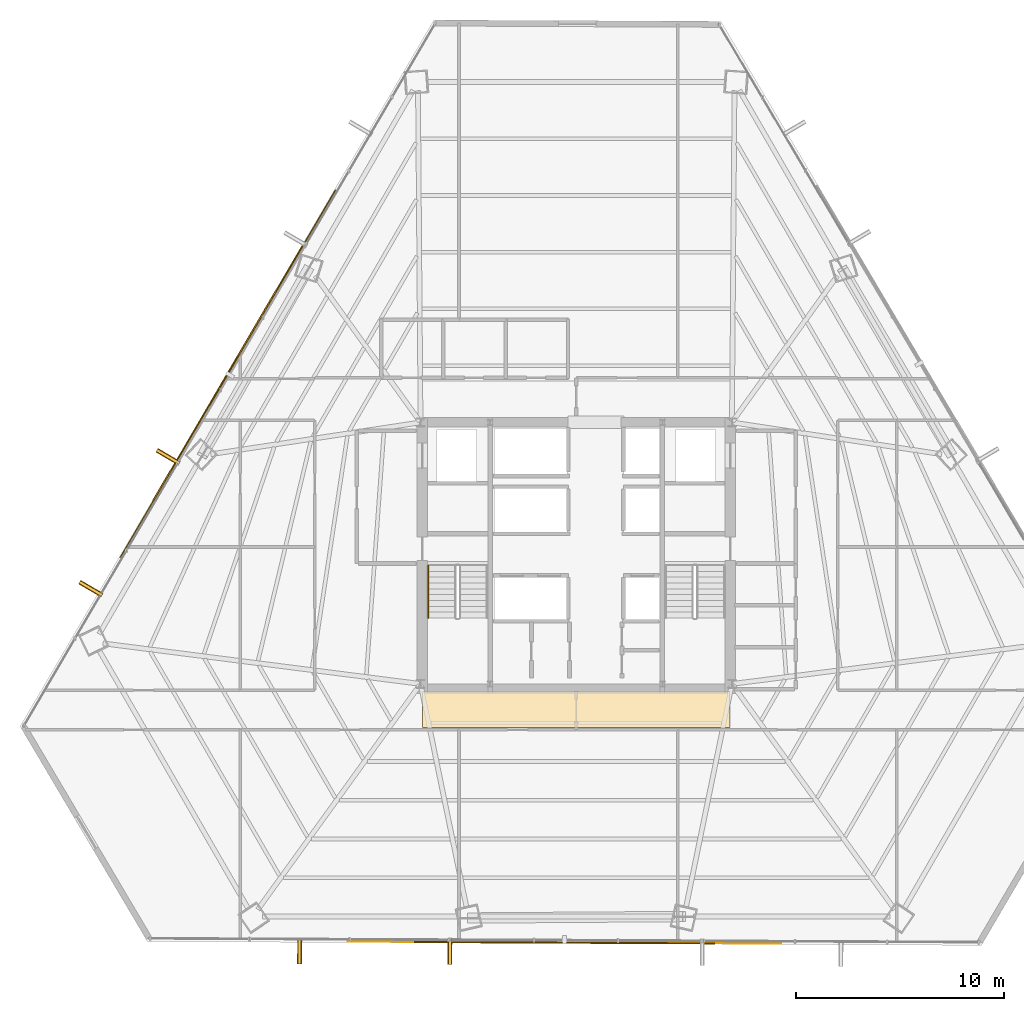
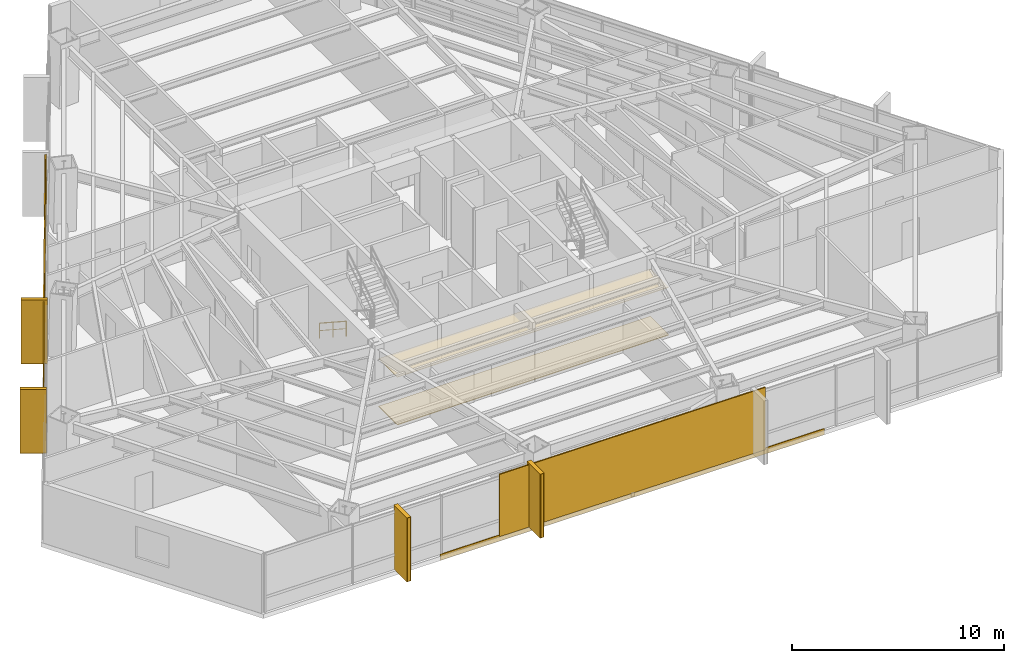
# One storey, part 33 of 35: 8 coverings, 6 shading devices, 1 railing.
"""IFC4 building model written with IfcOpenShell, lengths in metres."""

from ifc_helpers import new_model, si_unit, direction, frame, origin, origin_2d, place, context, subcontext, project, spatial, polyline, rectangle, outline, extrude, source, transform, mapped, material, layer, layer_set, type_object, type_shapes, element, save


model = new_model("IFC4")

# Units and contexts
model_context = context("Model", 3, precision=1e-05, world=origin(), true_north=direction((0.0, 1.0)))
body_context = subcontext(model_context, "Body", "Model", "MODEL_VIEW")
ifc_project = project(units=[si_unit("LENGTHUNIT", "METRE"), si_unit("AREAUNIT", "SQUARE_METRE"), si_unit("VOLUMEUNIT", "CUBIC_METRE"), si_unit("PLANEANGLEUNIT", "RADIAN"), si_unit("MASSUNIT", "GRAM", prefix="KILO")], contexts=[model_context])

# Site, building, storey
site_placement = place(None, origin())
site = spatial("IfcSite", under=ifc_project, at=site_placement, CompositionType="ELEMENT")
building_placement = place(site_placement, origin())
building = spatial("IfcBuilding", under=site, at=building_placement, Name="Caelisora Broadcast Tower", CompositionType="ELEMENT")
storey_placement = place(building_placement, frame((0.0, 0.0, 94.449951171875)))
storey = spatial("IfcBuildingStorey", under=building, at=storey_placement, Name="L24", CompositionType="ELEMENT", Elevation=94.449951171875)

# Coverings
ifc_material_1 = material(Name="Perforated Mineral-Fibre Acoustic Ceiling Tile", Category="gypsum")
ifc_layer_1 = layer(ifc_material_1, 0.034912109375, Name="Perforated Mineral-Fibre Acoustic Ceiling Tile")
ifc_layer_set_1 = layer_set([ifc_layer_1], Name="Perforated Mineral-Fibre Acoustic Ceiling Tile")
covering_type_1 = type_object("IfcCoveringType", Name="CE-1", PredefinedType="CEILING", material=ifc_layer_set_1)
covering_1_placement = place(storey_placement, frame((0.0, 0.0, 2.75)))
element("IfcCovering", 1, at=covering_1_placement, inside=storey, type_object=covering_type_1, Name="L24 acoustic corridor ceiling CE-1 (S)", PredefinedType="CEILING", context=body_context, shape_type="SweptSolid", body=[
    extrude(outline(polyline([(30.60009765625, 15.300048828125), (45.39990234375, 15.300048828125), (45.39990234375, 17.050048828125), (30.60009765625, 17.050048828125), (30.60009765625, 15.300048828125)])), origin(), (0.0, 0.0, 1.0), 0.03515625),
])
ifc_material_2 = material(Name="Anti-Static Broadcast Raised Access Floor Panel", Category="steel")
ifc_layer_2 = layer(ifc_material_2, 0.044921875, Name="Anti-Static Broadcast Raised Access Floor Panel")
ifc_layer_set_2 = layer_set([ifc_layer_2], Name="Anti-Static Broadcast Raised Access Floor Panel")
covering_type_2 = type_object("IfcCoveringType", Name="FL-1", PredefinedType="FLOORING", material=ifc_layer_set_2)
covering_2_placement = place(storey_placement, origin())
element("IfcCovering", 2, at=covering_2_placement, inside=storey, type_object=covering_type_2, Name="L24 broadcast raised access floor FL-1 (S)", PredefinedType="FLOORING", context=body_context, shape_type="SweptSolid", body=[
    extrude(outline(polyline([(30.60009765625, 15.300048828125), (45.39990234375, 15.300048828125), (45.39990234375, 17.050048828125), (30.60009765625, 17.050048828125), (30.60009765625, 15.300048828125)])), origin(), (0.0, 0.0, 1.0), 0.045166015625),
])

# Railing
ifc_material_3 = material(Name="Stainless Steel Grade 316 Tubular Handrail", Category="steel")
ifc_layer_3 = layer(ifc_material_3, 0.048095703125, Name="Stainless Steel Grade 316 Tubular Handrail")
ifc_layer_set_3 = layer_set([ifc_layer_3], Name="Stainless Steel Grade 316 Tubular Handrail")
railing_type = type_object("IfcRailingType", Name="HR-1", PredefinedType="HANDRAIL", material=ifc_layer_set_3)
railing_placement = place(storey_placement, frame((30.8701171875, 23.10009765625, 0.1826171875)))
element("IfcRailing", 3, at=railing_placement, inside=storey, type_object=railing_type, Name="L24 ST-1 stair handrail 1", PredefinedType="HANDRAIL", context=body_context, shape_type="SweptSolid", body=[
    extrude(rectangle(XDim=0.048095703125, YDim=0.048095703125, at=origin_2d()), frame((0.0, 0.0, 0.8759765625), z_axis=(0.0, -0.837786554691, 0.545997883492), x_axis=(1.0, 0.0, 0.0)), (0.0, 0.0, 1.0), 3.008056640625),
    extrude(rectangle(XDim=0.03125, YDim=0.03125, at=origin_2d()), frame((0.0, 0.0, 0.449951171875), z_axis=(0.0, -0.837786554691, 0.545997883492), x_axis=(1.0, 0.0, 0.0)), (0.0, 0.0, 1.0), 3.008056640625),
    extrude(rectangle(XDim=0.0419921875, YDim=0.0419921875, at=origin_2d()), origin(), (0.0, 0.0, 1.0), 0.851806640625),
    extrude(rectangle(XDim=0.0419921875, YDim=0.0419921875, at=origin_2d()), frame((0.0, -1.260009765625, 0.8212890625)), (0.0, 0.0, 1.0), 0.851806640625),
    extrude(rectangle(XDim=0.0419921875, YDim=0.0419921875, at=origin_2d()), frame((0.0, -2.52001953125, 1.642333984375)), (0.0, 0.0, 1.0), 0.851806640625),
])

# Coverings
ifc_material_4 = material(Name="Kiln-Fired Terracotta Spandrel Rainscreen Cladding", Category="ceramic")
ifc_layer_4 = layer(ifc_material_4, 0.044921875, Name="Kiln-Fired Terracotta Spandrel Rainscreen Cladding")
ifc_layer_set_4 = layer_set([ifc_layer_4], Name="Kiln-Fired Terracotta Spandrel Rainscreen Cladding")
covering_type_3 = type_object("IfcCoveringType", Name="CL-1", PredefinedType="CLADDING", material=ifc_layer_set_4)
shared_shape_1 = source(origin(), body_context, "Body", "SweptSolid", [
    extrude(rectangle(XDim=0.219970703125, YDim=1.25, at=origin_2d()), origin(), (0.0, 0.0, 1.0), 3.68994140625),
])
for number, where, z_axis, x_axis, name in (
    (4, (31.9150390625, 4.510009765625, -0.02001953125), (0.0, 0.0, 1.0), (-0.999989703949, 0.004537840481, 0.0), "L24 vertical solar fin cladding #2-3"),
    (5, (24.67041015625, 4.54296875, -0.02001953125), (0.0, 0.0, 1.0), (-0.999989703949, 0.004537840481, 0.0), "L24 vertical solar fin cladding #2-4"),
    (6, (14.615966796875, 21.99169921875, -0.02001953125), (0.0, 0.0, 1.0), (0.505431492718, 0.862866737202, 0.0), "L24 vertical solar fin cladding #3-1"),
    (7, (18.337158203125, 28.34423828125, -0.02001953125), (0.0, 0.0, 1.0), (0.505431492718, 0.862866737202, 0.0), "L24 vertical solar fin cladding #3-2"),
):
    element("IfcCovering", number, at=place(storey_placement, frame(where, z_axis=z_axis, x_axis=x_axis)), inside=storey, type_object=covering_type_3, Name=name, PredefinedType="CLADDING", context=body_context, shape_type="MappedRepresentation", body=[
        mapped(shared_shape_1, transform((0.0, 0.0, 0.0), scale=1.0)),
    ])

# Shading devices
ifc_material_5 = material(Name="Extruded Terracotta Flaring Colonnade Fin", Category="ceramic")
ifc_layer_5 = layer(ifc_material_5, 0.139892578125, Name="Extruded Terracotta Flaring Colonnade Fin")
ifc_layer_set_5 = layer_set([ifc_layer_5], Name="Extruded Terracotta Flaring Colonnade Fin")
shading_device_type_1 = type_object("IfcShadingDeviceType", Name="FN-1", PredefinedType="USERDEFINED", material=ifc_layer_set_5)
shared_shape_2 = source(origin(), body_context, "Body", "SweptSolid", [
    extrude(rectangle(XDim=0.139892578125, YDim=1.25, at=origin_2d()), origin(), (0.0, 0.0, 1.0), 3.669921875),
])
type_shapes(shading_device_type_1, [shared_shape_2])
for number, where, z_axis, x_axis, name in (
    (8, (31.9150390625, 4.510009765625, -0.010009765625), (0.0, 0.0, 1.0), (-0.999989703949, 0.004537840481, 0.0), "L24 vertical terracotta fin #2-3"),
    (9, (24.67041015625, 4.54296875, -0.010009765625), (0.0, 0.0, 1.0), (-0.999989703949, 0.004537840481, 0.0), "L24 vertical terracotta fin #2-4"),
    (10, (14.615966796875, 21.99169921875, -0.010009765625), (0.0, 0.0, 1.0), (0.505431492718, 0.862866737202, 0.0), "L24 vertical terracotta fin #3-1"),
    (11, (18.337158203125, 28.34423828125, -0.010009765625), (0.0, 0.0, 1.0), (0.505431492718, 0.862866737202, 0.0), "L24 vertical terracotta fin #3-2"),
):
    element("IfcShadingDevice", number, at=place(storey_placement, frame(where, z_axis=z_axis, x_axis=x_axis)), inside=storey, type_object=shading_device_type_1, Name=name, ObjectType="FIN", PredefinedType="USERDEFINED", context=body_context, shape_type="MappedRepresentation", body=[
        mapped(shared_shape_2, transform((0.0, 0.0, 0.0), scale=1.0)),
    ])
ifc_material_6 = material(Name="Perforated Glazed Terracotta Baguette Solar Screen", Category="ceramic")
ifc_layer_6 = layer(ifc_material_6, 0.06494140625, Name="Perforated Glazed Terracotta Baguette Solar Screen")
ifc_layer_set_6 = layer_set([ifc_layer_6], Name="Perforated Glazed Terracotta Baguette Solar Screen")
shading_device_type_2 = type_object("IfcShadingDeviceType", Name="SS-1", PredefinedType="USERDEFINED", material=ifc_layer_set_6)
shared_shape_3 = source(origin(), body_context, "Body", "SweptSolid", [
    extrude(rectangle(XDim=14.197021484375, YDim=0.06494140625, at=origin_2d()), origin(), (0.0, 0.0, 1.0), 3.590087890625),
])
shading_device_1_placement = place(storey_placement, frame((21.205078125, 32.349853515625, 0.0), z_axis=(0.0, 0.0, 1.0), x_axis=(-0.505431492718, -0.862866737202, 0.0)))
element("IfcShadingDevice", 12, at=shading_device_1_placement, inside=storey, type_object=shading_device_type_2, Name="L24 perforated terracotta solar screen #1", ObjectType="SOLAR SCREEN", PredefinedType="USERDEFINED", context=body_context, shape_type="MappedRepresentation", body=[
    mapped(shared_shape_3, transform((0.0, 0.0, 0.0), scale=1.0)),
])

# Covering
shared_shape_4 = source(origin(), body_context, "Body", "SweptSolid", [
    extrude(rectangle(XDim=20.507080078125, YDim=0.044921875, at=origin_2d()), origin(), (0.0, 0.0, 1.0), 0.340087890625),
])
covering_3_placement = place(storey_placement, frame((21.222412109375, 32.339599609375, -0.27001953125), z_axis=(0.0, 0.0, 1.0), x_axis=(-0.505431492718, -0.862866737202, 0.0)))
element("IfcCovering", 13, at=covering_3_placement, inside=storey, type_object=covering_type_3, Name="L24 terracotta spandrel rainscreen #1", PredefinedType="CLADDING", context=body_context, shape_type="MappedRepresentation", body=[
    mapped(shared_shape_4, transform((0.0, 0.0, 0.0), scale=1.0)),
])

# Shading device
shared_shape_5 = source(origin(), body_context, "Body", "SweptSolid", [
    extrude(rectangle(XDim=14.465087890625, YDim=0.06494140625, at=origin_2d()), origin(), (0.0, 0.0, 1.0), 3.590087890625),
])
type_shapes(shading_device_type_2, [shared_shape_3, shared_shape_5])
shading_device_2_placement = place(storey_placement, frame((37.43212890625, 4.93505859375, 0.0), z_axis=(0.0, 0.0, 1.0), x_axis=(0.999989703949, -0.004537840481, 0.0)))
element("IfcShadingDevice", 14, at=shading_device_2_placement, inside=storey, type_object=shading_device_type_2, Name="L24 perforated terracotta solar screen #2", ObjectType="SOLAR SCREEN", PredefinedType="USERDEFINED", context=body_context, shape_type="MappedRepresentation", body=[
    mapped(shared_shape_5, transform((0.0, 0.0, 0.0), scale=1.0)),
])

# Covering
shared_shape_6 = source(origin(), body_context, "Body", "SweptSolid", [
    extrude(rectangle(XDim=20.89404296875, YDim=0.044921875, at=origin_2d()), origin(), (0.0, 0.0, 1.0), 0.340087890625),
])
type_shapes(covering_type_3, [shared_shape_1, shared_shape_4, shared_shape_6])
covering_4_placement = place(storey_placement, frame((37.432373046875, 4.955078125, -0.27001953125), z_axis=(0.0, 0.0, 1.0), x_axis=(0.999989703949, -0.004537840481, 0.0)))
element("IfcCovering", 15, at=covering_4_placement, inside=storey, type_object=covering_type_3, Name="L24 terracotta spandrel rainscreen #2", PredefinedType="CLADDING", context=body_context, shape_type="MappedRepresentation", body=[
    mapped(shared_shape_6, transform((0.0, 0.0, 0.0), scale=1.0)),
])

save(model, "model.ifc")
